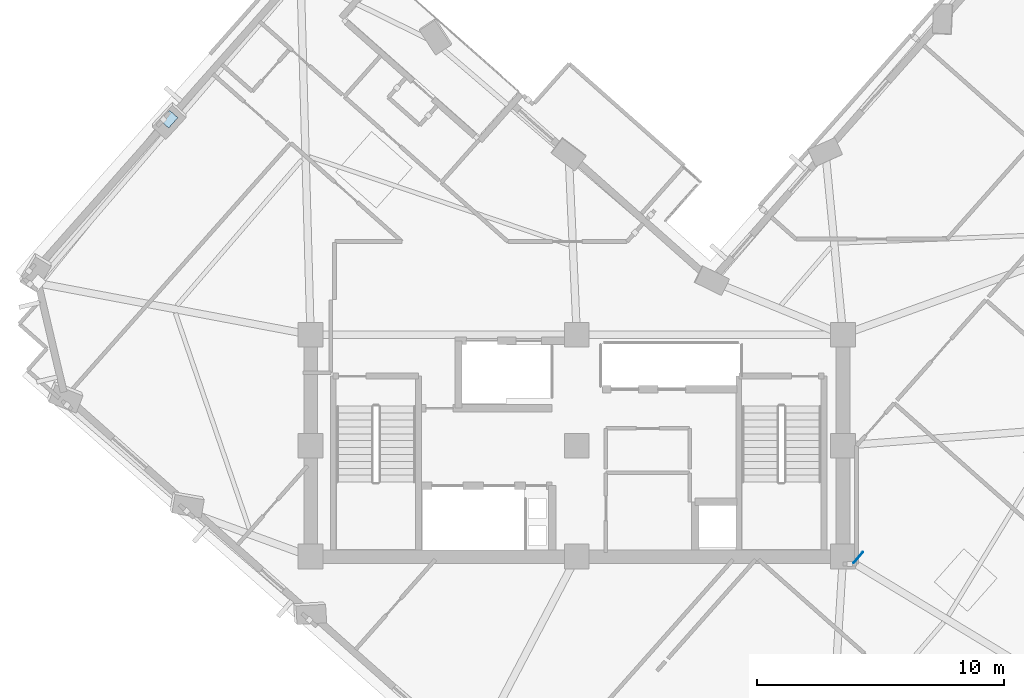
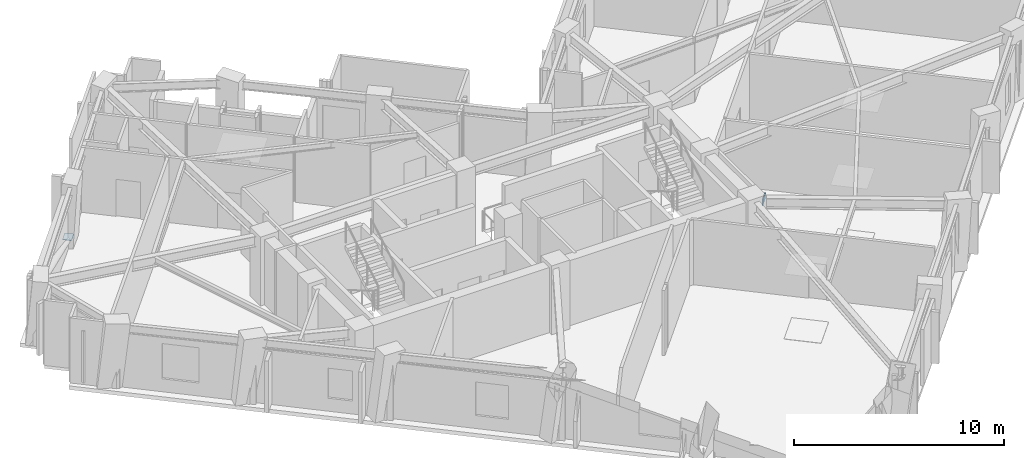
# One storey, part 4 of 13: 3 plates.
"""IFC4 building model written with IfcOpenShell, lengths in metres."""

from ifc_helpers import new_model, si_unit, direction, frame, origin, origin_2d, place, context, subcontext, project, spatial, rectangle, extrude, material, layer, layer_set, type_object, element, save


model = new_model("IFC4")

# Units and contexts
model_context = context("Model", 3, precision=1e-05, world=origin(), true_north=direction((0.0, 1.0)))
body_context = subcontext(model_context, "Body", "Model", "MODEL_VIEW")
ifc_project = project(units=[si_unit("LENGTHUNIT", "METRE"), si_unit("AREAUNIT", "SQUARE_METRE"), si_unit("VOLUMEUNIT", "CUBIC_METRE"), si_unit("PLANEANGLEUNIT", "RADIAN"), si_unit("MASSUNIT", "GRAM", prefix="KILO")], contexts=[model_context])

# Site, building, storey
site_placement = place(None, origin())
site = spatial("IfcSite", under=ifc_project, at=site_placement, CompositionType="ELEMENT")
building_placement = place(site_placement, origin())
building = spatial("IfcBuilding", under=site, at=building_placement, Name="Gaonmaruhae Medical Tower", CompositionType="ELEMENT")
storey_placement = place(building_placement, frame((0.0, 0.0, 231.199951171875)))
storey = spatial("IfcBuildingStorey", under=building, at=storey_placement, Name="L55", CompositionType="ELEMENT", Elevation=231.199951171875)

# Plates
ifc_material = material(Name="Steel HSA650 (650 MPa)", Category="steel")
ifc_layer_1 = layer(ifc_material, 0.028076171875)
ifc_layer_set_1 = layer_set([ifc_layer_1], Name="Steel HSA650 (650 MPa)")
plate_type_1 = type_object("IfcPlateType", Name="GP-02 Tube Brace End Cap Gusset Plate", PredefinedType="USERDEFINED", material=ifc_layer_set_1)
plate_placement = place(storey_placement, frame((8.265869140625, 25.53955078125, 0.23583984375), z_axis=(0.0, 0.0, 1.0), x_axis=(0.66327338299, 0.748377190605, 0.0)))
element("IfcPlate", 1, at=plate_placement, inside=storey, type_object=plate_type_1, Name="L55 Gusset Cap Plate PLT-L55-PBR-N02A", ObjectType="GUSSET_PLATE", PredefinedType="USERDEFINED", context=body_context, shape_type="SweptSolid", body=[
    extrude(rectangle(XDim=0.56005859375, YDim=0.43994140625, at=origin_2d()), origin(), (0.0, 0.0, 1.0), 0.028076171875),
])
ifc_layer_2 = layer(ifc_material, 0.02392578125)
ifc_layer_set_2 = layer_set([ifc_layer_2], Name="Steel HSA650 (650 MPa)")
plate_type_2 = type_object("IfcPlateType", Name="SP-P1 Girder Web Splice Plate", PredefinedType="SHEET", material=ifc_layer_set_2)
for number, where, z_axis, x_axis, name in (
    (2, (36.197021484375, 7.75, 3.25), (0.0, 0.0, 1.0), (0.650774217266, 0.759271307335, 0.0), "L55 Girder Web Splice Plate SPL1"),
    (3, (36.242919921875, 7.774169921875, 3.25), (0.0, 0.0, 1.0), (0.650774217266, 0.759271307335, 0.0), "L55 Girder Web Splice Plate SPL2"),
):
    element("IfcPlate", number, at=place(storey_placement, frame(where, z_axis=z_axis, x_axis=x_axis)), inside=storey, type_object=plate_type_2, Name=name, PredefinedType="SHEET", context=body_context, shape_type="SweptSolid", body=[
        extrude(rectangle(XDim=0.5400390625, YDim=0.02392578125, at=origin_2d()), origin(), (0.0, 0.0, 1.0), 0.360107421875),
    ])

save(model, "model.ifc")
